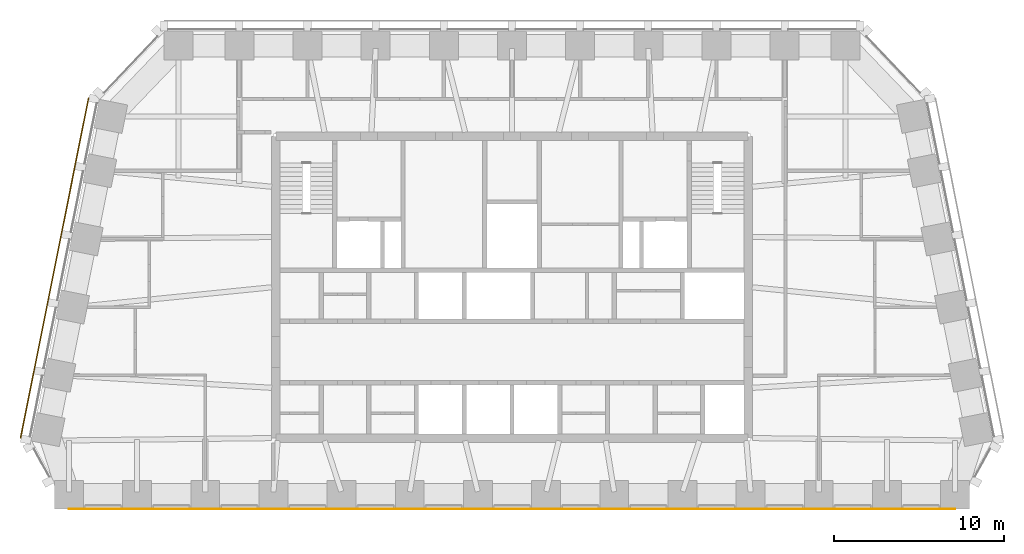
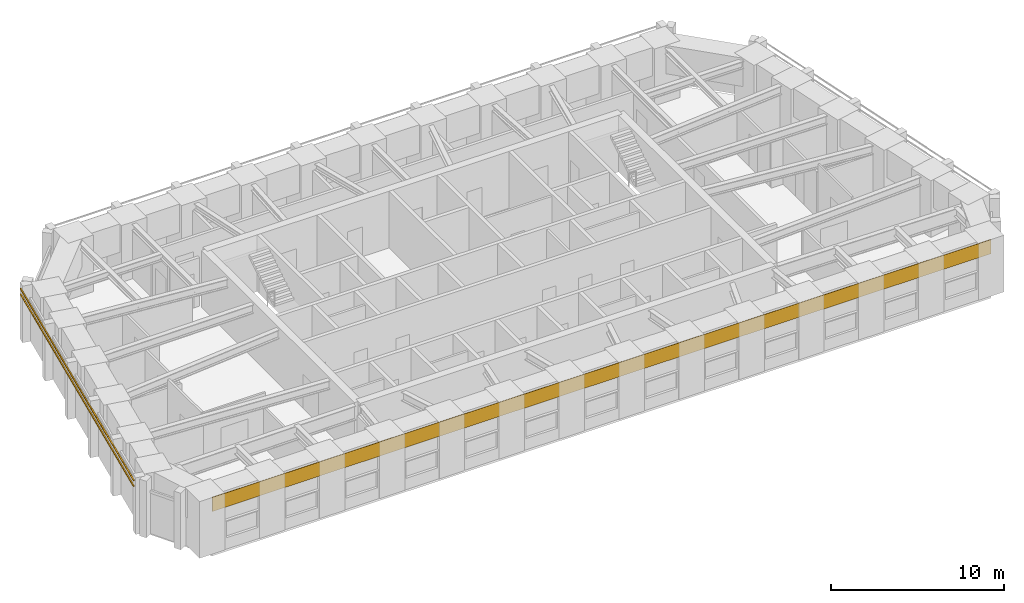
# One storey, part 8 of 9: 2 shading devices, 1 covering.
"""IFC4 building model written with IfcOpenShell, lengths in metres."""

from ifc_helpers import new_model, si_unit, direction, frame, origin, origin_2d, place, context, subcontext, project, spatial, rectangle, extrude, material, layer, layer_set, material_profile, profile_set, type_object, element, save


model = new_model("IFC4")

# Units and contexts
model_context = context("Model", 3, precision=1e-05, world=origin(), true_north=direction((0.0, 1.0)))
body_context = subcontext(model_context, "Body", "Model", "MODEL_VIEW")
ifc_project = project(units=[si_unit("LENGTHUNIT", "METRE"), si_unit("AREAUNIT", "SQUARE_METRE"), si_unit("VOLUMEUNIT", "CUBIC_METRE"), si_unit("PLANEANGLEUNIT", "RADIAN"), si_unit("MASSUNIT", "GRAM", prefix="KILO")], contexts=[model_context])

# Site, building, storey
site_placement = place(None, origin())
site = spatial("IfcSite", under=ifc_project, at=site_placement, CompositionType="ELEMENT")
building_placement = place(site_placement, origin())
building = spatial("IfcBuilding", under=site, at=building_placement, Name="Isbrekke Arena Tower", CompositionType="ELEMENT")
storey_placement = place(building_placement, frame((0.0, 0.0, 316.0)))
storey = spatial("IfcBuildingStorey", under=building, at=storey_placement, Name="L74", CompositionType="ELEMENT", Elevation=316.0)

# Shading devices
ifc_material_1 = material(Name="Terracotta", Category="masonry")
ifc_material_profile = material_profile(ifc_material_1, rectangle(XDim=0.06005859375, YDim=0.06005859375, at=origin_2d()), Name="BAGUETTE 60X60")
ifc_profile_set = profile_set([ifc_material_profile], Name="Terracotta")
shading_device_type = type_object("IfcShadingDeviceType", Name="BG1 TERRACOTTA BAGUETTE 60 x 60", PredefinedType="USERDEFINED", material=ifc_profile_set)
for number, where, z_axis, x_axis, name in (
    (1, (-24.84228515625, 26.12841796875, 3.280029296875), (-0.196116135138, -0.980580675691, 0.0), (0.980580675691, -0.196116135138, 0.0), "BG1 terracotta baguette W1 L74"),
    (2, (-24.84228515625, 26.12841796875, 3.679931640625), (-0.196116135138, -0.980580675691, 0.0), (0.980580675691, -0.196116135138, 0.0), "BG1 terracotta baguette W2 L74"),
):
    element("IfcShadingDevice", number, at=place(storey_placement, frame(where, z_axis=z_axis, x_axis=x_axis)), inside=storey, type_object=shading_device_type, Name=name, ObjectType="TERRACOTTA BAGUETTE", PredefinedType="USERDEFINED", context=body_context, shape_type="SweptSolid", body=[
        extrude(rectangle(XDim=0.06005859375, YDim=0.06005859375, at=origin_2d()), origin(), (0.0, 0.0, 1.0), 20.39599609375),
    ])

# Covering
ifc_material_2 = material(Name="Pre-patinated copper sheet", Category="metal")
ifc_layer = layer(ifc_material_2, 0.02001953125)
ifc_layer_set = layer_set([ifc_layer], Name="CL1 COPPER CLADDING")
covering_type = type_object("IfcCoveringType", Name="CL1 COPPER CLADDING", PredefinedType="CLADDING", material=ifc_layer_set)
covering_placement = place(storey_placement, frame((0.0, 1.989990234375, 3.0), z_axis=(0.0, 0.0, 1.0), x_axis=(1.0, 0.0, 0.0)))
element("IfcCovering", 3, at=covering_placement, inside=storey, type_object=covering_type, Name="CL1 copper cladding L74", PredefinedType="CLADDING", context=body_context, shape_type="SweptSolid", body=[
    extrude(rectangle(XDim=52.0, YDim=0.02001953125, at=origin_2d()), origin(), (0.0, 0.0, 1.0), 1.0),
])

save(model, "model.ifc")
